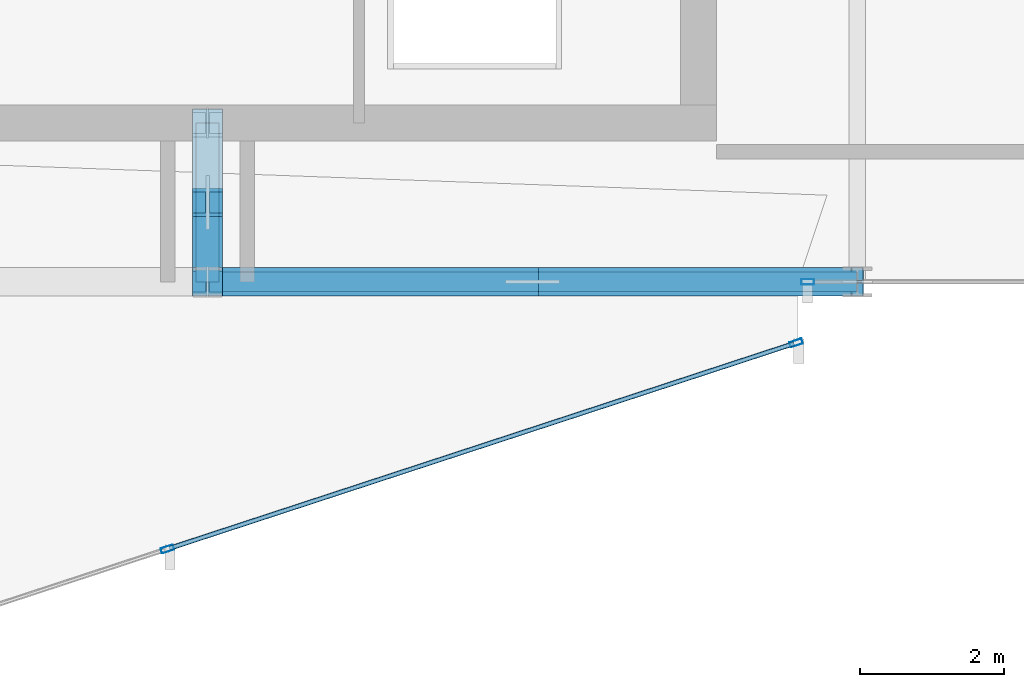
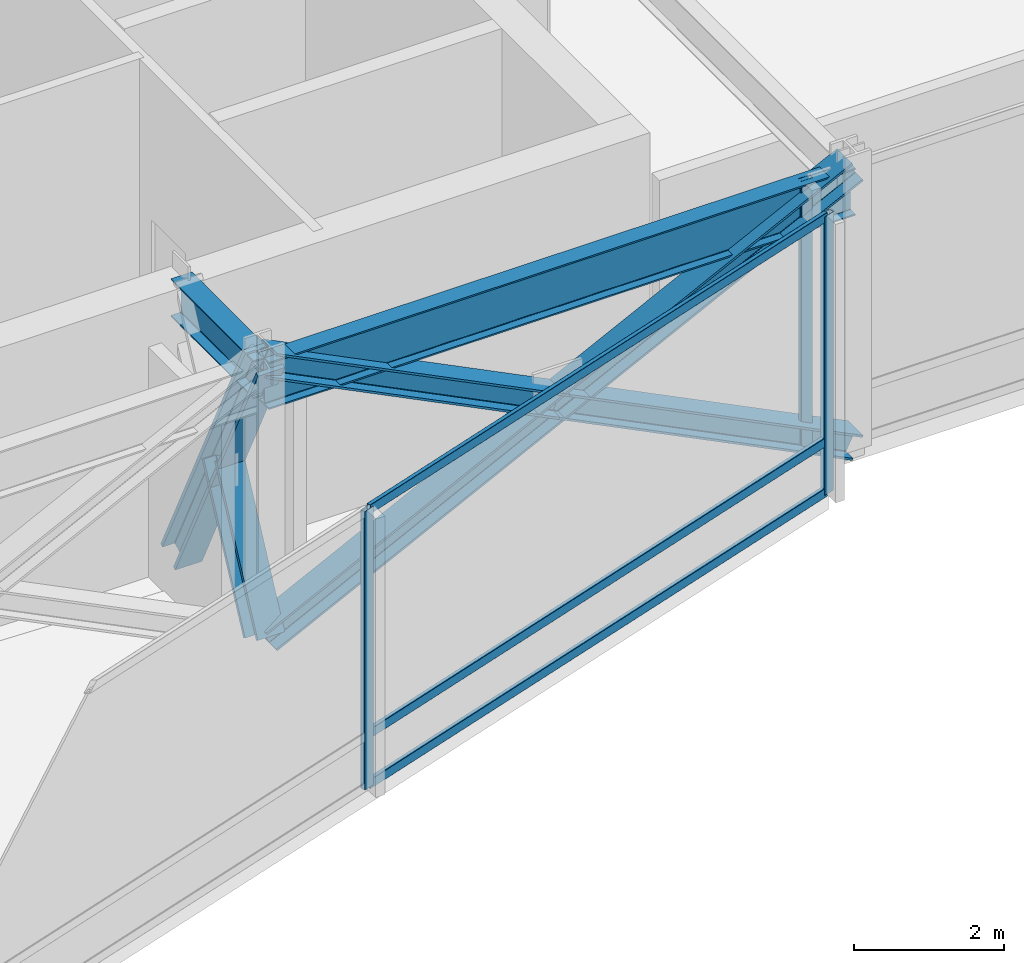
# One storey, part 9 of 30: 11 members, 2 beams, 2 elements without a shape of their own.
"""IFC4 building model written with IfcOpenShell, lengths in metres."""

import ifcopenshell
import ifcopenshell.guid

model = None  # the IFC model being written
_history = None  # IfcOwnerHistory: only IFC2X3 demands one
_inside = {}  # id of a spatial element -> (the spatial element, [elements in it])
_under = {}  # id of a project, library or spatial element -> (it, [spatial elements below it])
_declared = {}  # id of a project -> (the project, [libraries it declares])
_typed = {}  # id of a type object -> (the type object, [elements of that type])
_made_of = {}  # id of a material, layer set ... -> (it, [elements and type objects made of it])


def new_model(schema):
    """Start an empty IFC model of exactly this schema.

    Asked for "IFC4X3", IfcOpenShell would pick the latest addendum, in which some entities
    have other attributes; the version numbers below select the first issue.
    IFC2X3 requires an IfcOwnerHistory on every rooted entity: one is made here for all.
    """
    global model, _history
    if schema == "IFC4X3":
        model = ifcopenshell.file(schema_version=(4, 3, 0, 0))
    else:
        model = ifcopenshell.file(schema=schema)
    _inside.clear()
    _under.clear()
    _declared.clear()
    _typed.clear()
    _made_of.clear()
    _history = None
    if model.schema == "IFC2X3":
        org = make("IfcOrganization", Name="unknown")
        user = make(
            "IfcPersonAndOrganization",
            ThePerson=make("IfcPerson", FamilyName="unknown"),
            TheOrganization=org,
        )
        app = make(
            "IfcApplication",
            ApplicationDeveloper=org,
            Version="unknown",
            ApplicationFullName="unknown",
            ApplicationIdentifier="unknown",
        )
        _history = make(
            "IfcOwnerHistory",
            OwningUser=user,
            OwningApplication=app,
            ChangeAction="ADDED",
            CreationDate=0,
        )
    return model


def make(cls, **values):
    """One entity of the class cls with the attributes given. An attribute that is None is left unset."""
    return model.create_entity(
        cls, **{name: value for name, value in values.items() if value is not None}
    )


def rooted(cls, **values):
    """An entity with a GlobalId (a new one), such as an element, a storey or a relation."""
    return make(cls, GlobalId=ifcopenshell.guid.new(), OwnerHistory=_history, **values)


def si_unit(unit_type, name, prefix=None):
    """IfcSIUnit, for example si_unit("LENGTHUNIT", "METRE", prefix="MILLI")."""
    return make("IfcSIUnit", UnitType=unit_type, Prefix=prefix, Name=name)


def assignment(units):
    """IfcUnitAssignment: the units of a project."""
    return None if units is None else make("IfcUnitAssignment", Units=units)


def point(xyz):
    """IfcCartesianPoint."""
    return None if xyz is None else make("IfcCartesianPoint", Coordinates=xyz)


def direction(xyz):
    """IfcDirection."""
    return None if xyz is None else make("IfcDirection", DirectionRatios=xyz)


def frame(location, z_axis=None, x_axis=None):
    """IfcAxis2Placement3D, a coordinate frame: its origin and axes. An axis left out is left unset."""
    return make(
        "IfcAxis2Placement3D",
        Location=point(location),
        Axis=direction(z_axis),
        RefDirection=direction(x_axis),
    )


def frame_2d(location, x_axis=None):
    """IfcAxis2Placement2D, a coordinate frame in the plane: its origin and x axis."""
    return make(
        "IfcAxis2Placement2D", Location=point(location), RefDirection=direction(x_axis)
    )


def origin():
    """The frame at (0, 0, 0) with its axes left unset."""
    return frame((0.0, 0.0, 0.0))


def origin_2d():
    """The frame at (0, 0) in the plane with its x axis left unset."""
    return frame_2d((0.0, 0.0))


def place(relative_to, where):
    """IfcLocalPlacement: puts the frame where relative to a parent placement (None: the world)."""
    return make(
        "IfcLocalPlacement", PlacementRelTo=relative_to, RelativePlacement=where
    )


def context(
    kind, dimensions, precision=None, world=None, true_north=None, identifier=None
):
    """IfcGeometricRepresentationContext, for example the 3D "Model" context."""
    return make(
        "IfcGeometricRepresentationContext",
        ContextIdentifier=identifier,
        ContextType=kind,
        CoordinateSpaceDimension=dimensions,
        Precision=precision,
        WorldCoordinateSystem=world,
        TrueNorth=true_north,
    )


def subcontext(parent, identifier, kind, view, scale=None):
    """IfcGeometricRepresentationSubContext, for example "Body" below "Model"."""
    return make(
        "IfcGeometricRepresentationSubContext",
        ContextIdentifier=identifier,
        ContextType=kind,
        ParentContext=parent,
        TargetScale=scale,
        TargetView=view,
    )


def project(units=None, contexts=None):
    """IfcProject with its units and contexts."""
    return rooted(
        "IfcProject",
        Name="project",
        RepresentationContexts=contexts,
        UnitsInContext=assignment(units),
    )


def spatial(cls, under=None, at=None, **own):
    """A site, building, storey or space (cls), placed at a placement, below another one or the project."""
    s = rooted(cls, ObjectPlacement=at, **own)
    if under is not None:
        _under.setdefault(under.id(), (under, []))[1].append(s)
    return s


def profile(cls, at=None, kind="AREA", **sizes):
    """A parametric profile (cls). Its sizes go by their IFC names, for example OverallWidth=200.0."""
    return make(cls, ProfileType=kind, Position=at, **sizes)


def hollow_rectangle(**sizes):
    """IfcRectangleHollowProfileDef."""
    return profile("IfcRectangleHollowProfileDef", **sizes)


def i_section(**sizes):
    """IfcIShapeProfileDef."""
    return profile("IfcIShapeProfileDef", **sizes)


def extrude(swept, where, along, depth):
    """IfcExtrudedAreaSolid: the profile swept, set in the frame where, extruded along a direction by depth."""
    return make(
        "IfcExtrudedAreaSolid",
        SweptArea=swept,
        Position=where,
        ExtrudedDirection=direction(along),
        Depth=depth,
    )


def shape(context_of_items, identifier, shape_type, items):
    """IfcShapeRepresentation: the items that make up one representation, for example the "Body"."""
    return make(
        "IfcShapeRepresentation",
        ContextOfItems=context_of_items,
        RepresentationIdentifier=identifier,
        RepresentationType=shape_type,
        Items=items,
    )


def material(Name=None, Category=None):
    """IfcMaterial."""
    return make("IfcMaterial", Name=Name, Category=Category)


def layer(
    of_material, thickness, ventilated=None, Name=None, Category=None, Priority=None
):
    """IfcMaterialLayer: one layer of a wall or slab, of a material (None: an air gap)."""
    return make(
        "IfcMaterialLayer",
        Material=of_material,
        LayerThickness=thickness,
        IsVentilated=ventilated,
        Name=Name,
        Category=Category,
        Priority=Priority,
    )


def layer_set(layers, Name=None):
    """IfcMaterialLayerSet."""
    return make("IfcMaterialLayerSet", MaterialLayers=layers, LayerSetName=Name)


def material_profile(
    of_material, cross_section, Name=None, Category=None, Priority=None
):
    """IfcMaterialProfile: a cross section and its material."""
    return make(
        "IfcMaterialProfile",
        Name=Name,
        Material=of_material,
        Profile=cross_section,
        Priority=Priority,
        Category=Category,
    )


def profile_set(profiles, Name=None, composite=None):
    """IfcMaterialProfileSet."""
    return make(
        "IfcMaterialProfileSet",
        Name=Name,
        MaterialProfiles=profiles,
        CompositeProfile=composite,
    )


def made_of(thing, what):
    """Note that an element or type object is made of a material, layer set ...; save() writes the relation."""
    if what is not None:
        _made_of.setdefault(what.id(), (what, []))[1].append(thing)
    return thing


def type_object(cls, material=None, **own):
    """A type object (cls), such as IfcWallType, which elements share."""
    return made_of(rooted(cls, **own), material)


def element(
    cls,
    number,
    at=None,
    inside=None,
    cuts=None,
    type_object=None,
    material=None,
    context=None,
    identifier="Body",
    shape_type=None,
    held_by="IfcProductDefinitionShape",
    body=None,
    shapes=None,
    **own,
):
    """One element of the class cls, such as IfcWall. Its Tag is "e" and its number.

    at: its placement. inside: the storey or other place that contains it. cuts: it is an
    opening in that element (IfcRelVoidsElement). A single representation is given by context,
    identifier, shape_type and body (its items); several are given by shapes. held_by: the class
    of the entity that holds the representations. save() writes the other relations.
    """
    e = rooted(cls, Tag="e%d" % number, ObjectPlacement=at, **own)
    if body is not None:
        shapes = [shape(context, identifier, shape_type, body)]
    if shapes is not None:
        e.Representation = make(held_by, Representations=shapes)
    if inside is not None:
        _inside.setdefault(inside.id(), (inside, []))[1].append(e)
    if cuts is not None:
        rooted(
            "IfcRelVoidsElement", RelatingBuildingElement=cuts, RelatedOpeningElement=e
        )
    if type_object is not None:
        _typed.setdefault(type_object.id(), (type_object, []))[1].append(e)
    return made_of(e, material)


def aggregate(whole, parts):
    """IfcRelAggregates: a whole, such as a stair, and the parts it consists of."""
    return rooted("IfcRelAggregates", RelatingObject=whole, RelatedObjects=parts)


def save(model, path):
    """Write the relations noted so far, then the file.

    IfcRelAggregates (storeys below a building ...), IfcRelContainedInSpatialStructure (elements
    in a storey), IfcRelDefinesByType, IfcRelAssociatesMaterial and IfcRelDeclares: one each for
    every whole, place, type object, material and project.
    """
    for whole, parts in _under.values():
        aggregate(whole, parts)
    for where, things in _inside.values():
        rooted(
            "IfcRelContainedInSpatialStructure",
            RelatedElements=things,
            RelatingStructure=where,
        )
    for kind, things in _typed.values():
        rooted("IfcRelDefinesByType", RelatedObjects=things, RelatingType=kind)
    for what, things in _made_of.values():
        rooted("IfcRelAssociatesMaterial", RelatedObjects=things, RelatingMaterial=what)
    for by, libraries in _declared.values():
        rooted("IfcRelDeclares", RelatingContext=by, RelatedDefinitions=libraries)
    model.write(path)


model = new_model("IFC4")

# Units and contexts
model_context = context("Model", 3, precision=1e-05, world=origin(), true_north=direction((0.0, 1.0)))
body_context = subcontext(model_context, "Body", "Model", "MODEL_VIEW")
ifc_project = project(units=[si_unit("LENGTHUNIT", "METRE"), si_unit("AREAUNIT", "SQUARE_METRE"), si_unit("VOLUMEUNIT", "CUBIC_METRE"), si_unit("PLANEANGLEUNIT", "RADIAN"), si_unit("MASSUNIT", "GRAM", prefix="KILO")], contexts=[model_context])

# Site, building, storey
site_placement = place(None, origin())
site = spatial("IfcSite", under=ifc_project, at=site_placement, CompositionType="ELEMENT")
building_placement = place(site_placement, origin())
building = spatial("IfcBuilding", under=site, at=building_placement, Name="Solvaryn Broadcast Tower", CompositionType="ELEMENT")
storey_placement = place(building_placement, frame((0.0, 0.0, 196.39990234375)))
storey = spatial("IfcBuildingStorey", under=building, at=storey_placement, Name="L49", CompositionType="ELEMENT", Elevation=196.39990234375)

# Beams
ifc_material_1 = material(Name="Steel ASTM A992 Grade 50", Category="steel")
ifc_material_profile_1 = material_profile(ifc_material_1, i_section(OverallWidth=0.323974609375, OverallDepth=0.611083984375, WebThickness=0.0126953125, FlangeThickness=0.01904296875, FilletRadius=0.014892578125, at=origin_2d()))
ifc_profile_set_1 = profile_set([ifc_material_profile_1], Name="Steel ASTM A992 Grade 50")
beam_type_1 = type_object("IfcBeamType", Name="BM-B1-W24X104", PredefinedType="BEAM", material=ifc_profile_set_1)
beam_1_placement = place(storey_placement, frame((36.0, 9.0, 4.214599609375), z_axis=(0.0, 1.0, 0.0), x_axis=(-1.0, 0.0, 0.0)))
element("IfcBeam", 1, at=beam_1_placement, inside=storey, type_object=beam_type_1, Name="L49 Core Tie Beam CTE1", PredefinedType="BEAM", context=body_context, shape_type="SweptSolid", body=[
    extrude(i_section(OverallWidth=0.323974609375, OverallDepth=0.611083984375, WebThickness=0.0126953125, FlangeThickness=0.01904296875, FilletRadius=0.014892578125, at=origin_2d()), origin(), (0.0, 0.0, 1.0), 2.199951171875),
])
ifc_material_2 = material(Name="Steel ASTM A992 Grade 50", Category="steel")
ifc_material_profile_2 = material_profile(ifc_material_2, i_section(OverallWidth=0.26708984375, OverallDepth=0.76611328125, WebThickness=0.014892578125, FlangeThickness=0.023681640625, FilletRadius=0.01806640625, at=origin_2d()))
ifc_profile_set_2 = profile_set([ifc_material_profile_2], Name="Steel ASTM A992 Grade 50")
beam_type_2 = type_object("IfcBeamType", Name="BM-SP2-W30X124", PredefinedType="USERDEFINED", material=ifc_profile_set_2)
beam_2_placement = place(storey_placement, frame((36.0, 9.0, 4.13720703125), z_axis=(1.0, 0.0, 0.0), x_axis=(0.0, 1.0, 0.0)))
element("IfcBeam", 2, at=beam_2_placement, inside=storey, type_object=beam_type_2, Name="L49 Spandrel Beam X (36-45 @ Y=9)", ObjectType="SPANDREL", PredefinedType="USERDEFINED", context=body_context, shape_type="SweptSolid", body=[
    extrude(i_section(OverallWidth=0.26708984375, OverallDepth=0.76611328125, WebThickness=0.014892578125, FlangeThickness=0.023681640625, FilletRadius=0.01806640625, at=origin_2d()), origin(), (0.0, 0.0, 1.0), 9.0),
])

# Curtain wall, members
ifc_material_3 = material(Name="Aluminium and Terracotta Unitised Curtain Wall", Category="masonry")
ifc_layer = layer(ifc_material_3, 0.199951171875)
ifc_layer_set = layer_set([ifc_layer], Name="CW-SYS2-LOWMID")
curtain_wall_type = type_object("IfcCurtainWallType", Name="CW-SYS2-LOWMID", PredefinedType="NOTDEFINED", material=ifc_layer_set)
curtain_wall_1_placement = place(storey_placement, origin())
curtain_wall_1 = element("IfcCurtainWall", 3, at=curtain_wall_1_placement, inside=storey, type_object=curtain_wall_type, Name="L49 Curtain Wall DR4", PredefinedType="NOTDEFINED")
ifc_material_4 = material(Name="Anodised Aluminium 6063-T6", Category="aluminium")
ifc_material_profile_3 = material_profile(ifc_material_4, hollow_rectangle(XDim=0.074951171875, YDim=0.179931640625, WallThickness=0.00390625, InnerFilletRadius=0.00390625, OuterFilletRadius=0.008056640625, at=origin_2d()))
ifc_profile_set_3 = profile_set([ifc_material_profile_3], Name="Anodised Aluminium 6063-T6")
member_type_1 = type_object("IfcMemberType", Name="CW-MUL-180", PredefinedType="MULLION", material=ifc_profile_set_3)
member_1_placement = place(storey_placement, frame((35.444091796875, 5.298095703125, 0.0), z_axis=(0.0, 0.0, 1.0), x_axis=(-0.311558717623, 0.950226902099, 0.0)))
member_1 = element("IfcMember", 4, at=member_1_placement, type_object=member_type_1, Name="CWS2 mullion 2", PredefinedType="MULLION", context=body_context, shape_type="SweptSolid", body=[
    extrude(hollow_rectangle(XDim=0.074951171875, YDim=0.179931640625, WallThickness=0.00390625, InnerFilletRadius=0.00390625, OuterFilletRadius=0.008056640625, at=origin_2d()), origin(), (0.0, 0.0, 1.0), 4.52001953125),
])
member_2_placement = place(storey_placement, frame((44.153564453125, 8.153564453125, 0.0), z_axis=(0.0, 0.0, 1.0), x_axis=(-0.311558717623, 0.950226902099, 0.0)))
member_2 = element("IfcMember", 5, at=member_2_placement, type_object=member_type_1, Name="CWS2 mullion 3", PredefinedType="MULLION", context=body_context, shape_type="SweptSolid", body=[
    extrude(hollow_rectangle(XDim=0.074951171875, YDim=0.179931640625, WallThickness=0.00390625, InnerFilletRadius=0.00390625, OuterFilletRadius=0.008056640625, at=origin_2d()), origin(), (0.0, 0.0, 1.0), 4.52001953125),
])

# Curtain wall, member
curtain_wall_2_placement = place(storey_placement, origin())
curtain_wall_2 = element("IfcCurtainWall", 6, at=curtain_wall_2_placement, inside=storey, type_object=curtain_wall_type, Name="L49 Curtain Wall S2", PredefinedType="NOTDEFINED")
member_3_placement = place(storey_placement, frame((44.31201171875, 9.0, 0.0), z_axis=(0.0, 0.0, 1.0), x_axis=(0.0, 1.0, 0.0)))
member_3 = element("IfcMember", 7, at=member_3_placement, type_object=member_type_1, Name="CWS2 mullion 1", PredefinedType="MULLION", context=body_context, shape_type="SweptSolid", body=[
    extrude(hollow_rectangle(XDim=0.074951171875, YDim=0.179931640625, WallThickness=0.00390625, InnerFilletRadius=0.00390625, OuterFilletRadius=0.008056640625, at=origin_2d()), origin(), (0.0, 0.0, 1.0), 4.52001953125),
])
aggregate(curtain_wall_2, [member_3])

# Member
ifc_material_5 = material(Name="Anodised Aluminium 6063-T6", Category="aluminium")
ifc_material_profile_4 = material_profile(ifc_material_5, hollow_rectangle(XDim=0.06494140625, YDim=0.14990234375, WallThickness=0.00390625, InnerFilletRadius=0.00390625, OuterFilletRadius=0.008056640625, at=origin_2d()))
ifc_profile_set_4 = profile_set([ifc_material_profile_4], Name="Anodised Aluminium 6063-T6")
member_type_2 = type_object("IfcMemberType", Name="CW-TRN-150", PredefinedType="USERDEFINED", material=ifc_profile_set_4)
member_4_placement = place(storey_placement, frame((35.472412109375, 5.307373046875, 0.030029296875), z_axis=(0.950229540973, 0.311550669172, 0.0), x_axis=(-0.311550669172, 0.950229540973, 0.0)))
member_4 = element("IfcMember", 8, at=member_4_placement, type_object=member_type_2, Name="CWS2 transom 2.1", ObjectType="TRANSOM", PredefinedType="USERDEFINED", context=body_context, shape_type="SweptSolid", body=[
    extrude(hollow_rectangle(XDim=0.06494140625, YDim=0.14990234375, WallThickness=0.00390625, InnerFilletRadius=0.00390625, OuterFilletRadius=0.008056640625, at=origin_2d()), origin(), (0.0, 0.0, 1.0), 9.105712890625),
])

member_5_placement = place(storey_placement, frame((35.472412109375, 5.307373046875, 0.85009765625), z_axis=(0.950229540973, 0.311550669172, 0.0), x_axis=(-0.311550669172, 0.950229540973, 0.0)))
member_5 = element("IfcMember", 9, at=member_5_placement, type_object=member_type_2, Name="CWS2 transom 2.2", ObjectType="TRANSOM", PredefinedType="USERDEFINED", context=body_context, shape_type="SweptSolid", body=[
    extrude(hollow_rectangle(XDim=0.06494140625, YDim=0.14990234375, WallThickness=0.00390625, InnerFilletRadius=0.00390625, OuterFilletRadius=0.008056640625, at=origin_2d()), origin(), (0.0, 0.0, 1.0), 9.105712890625),
])

member_6_placement = place(storey_placement, frame((35.472412109375, 5.307373046875, 4.489990234375), z_axis=(0.950229540973, 0.311550669172, 0.0), x_axis=(-0.311550669172, 0.950229540973, 0.0)))
member_6 = element("IfcMember", 10, at=member_6_placement, type_object=member_type_2, Name="CWS2 transom 2.3", ObjectType="TRANSOM", PredefinedType="USERDEFINED", context=body_context, shape_type="SweptSolid", body=[
    extrude(hollow_rectangle(XDim=0.06494140625, YDim=0.14990234375, WallThickness=0.00390625, InnerFilletRadius=0.00390625, OuterFilletRadius=0.008056640625, at=origin_2d()), origin(), (0.0, 0.0, 1.0), 9.105712890625),
])

aggregate(curtain_wall_1, [member_1, member_2, member_4, member_5, member_6])

# Members
ifc_material_6 = material(Name="Steel ASTM A913 Grade 65", Category="steel")
ifc_material_profile_5 = material_profile(ifc_material_6, i_section(OverallWidth=0.39697265625, OverallDepth=0.386962890625, WebThickness=0.02099609375, FlangeThickness=0.033203125, FilletRadius=0.014892578125, at=origin_2d()))
ifc_profile_set_5 = profile_set([ifc_material_profile_5], Name="Steel ASTM A913 Grade 65")
member_type_3 = type_object("IfcMemberType", Name="MB-BELT-2", PredefinedType="BRACE", material=ifc_profile_set_5)
member_7_placement = place(storey_placement, frame((36.0, 9.0, 0.02001953125), z_axis=(0.895222302563, 0.0, 0.44561982563), x_axis=(0.0, 1.0, 0.0)))
element("IfcMember", 11, at=member_7_placement, inside=storey, type_object=member_type_3, Name="L49 South Belt X-Brace 5 Continuous Diagonal", PredefinedType="BRACE", context=body_context, shape_type="SweptSolid", body=[
    extrude(i_section(OverallWidth=0.39697265625, OverallDepth=0.386962890625, WebThickness=0.02099609375, FlangeThickness=0.033203125, FilletRadius=0.014892578125, at=origin_2d()), origin(), (0.0, 0.0, 1.0), 10.053466796875),
])
for number, where, z_axis, x_axis, name in (
    (12, (45.0, 9.0, 0.02001953125), (-0.895222302563, 0.0, 0.44561982563), (0.0, -1.0, 0.0), "L49 South Belt X-Brace 5 Split Diagonal Lower"),
    (13, (40.5, 9.0, 2.260009765625), (-0.895222302563, 0.0, 0.44561982563), (0.0, -1.0, 0.0), "L49 South Belt X-Brace 5 Split Diagonal Upper"),
):
    element("IfcMember", number, at=place(storey_placement, frame(where, z_axis=z_axis, x_axis=x_axis)), inside=storey, type_object=member_type_3, Name=name, PredefinedType="BRACE", context=body_context, shape_type="SweptSolid", body=[
        extrude(i_section(OverallWidth=0.39697265625, OverallDepth=0.386962890625, WebThickness=0.02099609375, FlangeThickness=0.033203125, FilletRadius=0.014892578125, at=origin_2d()), origin(), (0.0, 0.0, 1.0), 5.026611328125),
    ])
ifc_material_7 = material(Name="Steel ASTM A913 Grade 65", Category="steel")
ifc_material_profile_6 = material_profile(ifc_material_7, i_section(OverallWidth=0.412109375, OverallDepth=0.43505859375, WebThickness=0.035888671875, FlangeThickness=0.057373046875, FilletRadius=0.014892578125, at=origin_2d()))
ifc_profile_set_6 = profile_set([ifc_material_profile_6], Name="Steel ASTM A913 Grade 65")
member_type_4 = type_object("IfcMemberType", Name="MB-OUTRIGGER-2", PredefinedType="BRACE", material=ifc_profile_set_6)
member_8_placement = place(storey_placement, frame((36.0, 11.199951171875, 0.02001953125), z_axis=(0.0, -0.440784271702, 0.897613071328), x_axis=(1.0, 0.0, 0.0)))
element("IfcMember", 14, at=member_8_placement, inside=storey, type_object=member_type_4, Name="L49 Outrigger X-Brace S Continuous Diagonal", PredefinedType="BRACE", context=body_context, shape_type="SweptSolid", body=[
    extrude(i_section(OverallWidth=0.412109375, OverallDepth=0.43505859375, WebThickness=0.035888671875, FlangeThickness=0.057373046875, FilletRadius=0.014892578125, at=origin_2d()), origin(), (0.0, 0.0, 1.0), 4.990966796875),
])
member_9_placement = place(storey_placement, frame((36.0, 10.10009765625, 2.260009765625), z_axis=(0.0, -0.440823682697, -0.897593716987), x_axis=(1.0, 0.0, 0.0)))
element("IfcMember", 15, at=member_9_placement, inside=storey, type_object=member_type_4, Name="L49 Outrigger X-Brace S Split Diagonal Upper", PredefinedType="BRACE", context=body_context, shape_type="SweptSolid", body=[
    extrude(i_section(OverallWidth=0.412109375, OverallDepth=0.43505859375, WebThickness=0.035888671875, FlangeThickness=0.057373046875, FilletRadius=0.014892578125, at=origin_2d()), origin(), (0.0, 0.0, 1.0), 2.49560546875),
])

save(model, "model.ifc")
